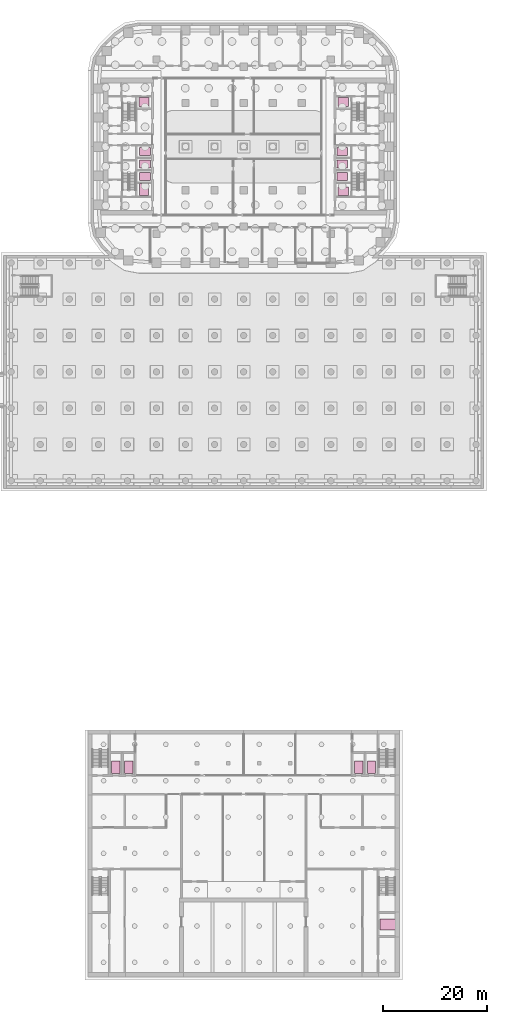
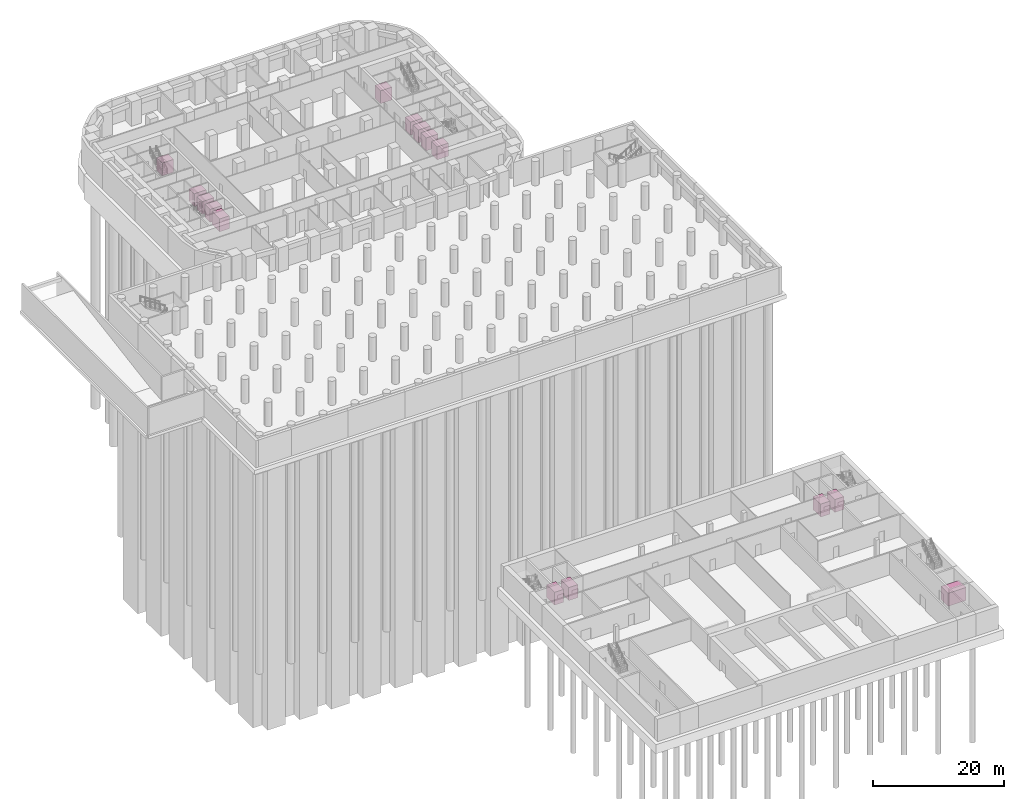
# One storey, part 23 of 23: 15 transport elements.
"""IFC4 building model written with IfcOpenShell, lengths in metres."""

from ifc_helpers import new_model, si_unit, direction, frame, origin, origin_2d, place, context, subcontext, project, spatial, rectangle, extrude, material, type_object, element, save


model = new_model("IFC4")

# Units and contexts
model_context = context("Model", 3, precision=1e-05, world=origin(), true_north=direction((0.0, 1.0)))
body_context = subcontext(model_context, "Body", "Model", "MODEL_VIEW")
ifc_project = project(units=[si_unit("LENGTHUNIT", "METRE"), si_unit("AREAUNIT", "SQUARE_METRE"), si_unit("VOLUMEUNIT", "CUBIC_METRE"), si_unit("PLANEANGLEUNIT", "RADIAN"), si_unit("MASSUNIT", "GRAM", prefix="KILO")], contexts=[model_context])

# Site, building, storey
site_placement = place(None, origin())
site = spatial("IfcSite", under=ifc_project, at=site_placement, CompositionType="ELEMENT")
building_placement = place(site_placement, origin())
building = spatial("IfcBuilding", under=site, at=building_placement, Name="Kiln Ring Residences", CompositionType="ELEMENT")
storey_placement = place(building_placement, frame((0.0, 0.0, -4.5)))
storey = spatial("IfcBuildingStorey", under=building, at=storey_placement, Name="B1", CompositionType="ELEMENT", Elevation=-4.5)

# Transport elements
ifc_material_1 = material(Name="Brushed stainless steel", Category="steel")
transport_element_type_1 = type_object("IfcTransportElementType", Name="CORE-LIFT-FF", PredefinedType="ELEVATOR", material=ifc_material_1)
for number, where, z_axis, x_axis, name in (
    (1, (-19.199951171875, 8.60009765625, 0.0), (0.0, 0.0, 1.0), (1.0, 0.0, 0.0), "Lift W-FF"),
    (2, (19.199951171875, 8.60009765625, 0.0), (0.0, 0.0, 1.0), (1.0, 0.0, 0.0), "Lift E-FF"),
):
    element("IfcTransportElement", number, at=place(storey_placement, frame(where, z_axis=z_axis, x_axis=x_axis)), inside=storey, type_object=transport_element_type_1, Name=name, PredefinedType="ELEVATOR", context=body_context, shape_type="SweptSolid", body=[
        extrude(rectangle(XDim=2.0, YDim=1.699951171875, at=origin_2d()), origin(), (0.0, 0.0, 1.0), 2.39990234375),
    ])
ifc_material_2 = material(Name="Brushed stainless steel", Category="steel")
transport_element_type_2 = type_object("IfcTransportElementType", Name="CORE-LIFT-LOW", PredefinedType="ELEVATOR", material=ifc_material_2)
for number, where, z_axis, x_axis, name in (
    (3, (-19.0, -5.75, 0.0), (0.0, 0.0, 1.0), (1.0, 0.0, 0.0), "Lift W-L1"),
    (4, (-19.0, -3.35009765625, 0.0), (0.0, 0.0, 1.0), (1.0, 0.0, 0.0), "Lift W-L2"),
    (5, (-19.0, -0.949951171875, 0.0), (0.0, 0.0, 1.0), (1.0, 0.0, 0.0), "Lift W-L3"),
    (6, (19.0, -5.75, 0.0), (0.0, 0.0, 1.0), (1.0, 0.0, 0.0), "Lift E-L1"),
    (7, (19.0, -3.35009765625, 0.0), (0.0, 0.0, 1.0), (1.0, 0.0, 0.0), "Lift E-L2"),
    (8, (19.0, -0.949951171875, 0.0), (0.0, 0.0, 1.0), (1.0, 0.0, 0.0), "Lift E-L3"),
):
    element("IfcTransportElement", number, at=place(storey_placement, frame(where, z_axis=z_axis, x_axis=x_axis)), inside=storey, type_object=transport_element_type_2, Name=name, PredefinedType="ELEVATOR", context=body_context, shape_type="SweptSolid", body=[
        extrude(rectangle(XDim=2.10009765625, YDim=1.60009765625, at=origin_2d()), origin(), (0.0, 0.0, 1.0), 2.39990234375),
    ])
ifc_material_3 = material(Name="Brushed stainless steel", Category="steel")
transport_element_type_3 = type_object("IfcTransportElementType", Name="CORE-LIFT-SV", PredefinedType="ELEVATOR", material=ifc_material_3)
transport_element_1_placement = place(storey_placement, frame((19.199951171875, -8.60009765625, 0.0), z_axis=(0.0, 0.0, 1.0), x_axis=(1.0, 0.0, 0.0)))
element("IfcTransportElement", 9, at=transport_element_1_placement, inside=storey, type_object=transport_element_type_3, Name="Lift E-SV", PredefinedType="ELEVATOR", context=body_context, shape_type="SweptSolid", body=[
    extrude(rectangle(XDim=2.0, YDim=1.699951171875, at=origin_2d()), origin(), (0.0, 0.0, 1.0), 2.39990234375),
])
ifc_material_4 = material(Name="Brushed stainless steel", Category="steel")
transport_element_type_4 = type_object("IfcTransportElementType", Name="CORE-LIFT-SVF", PredefinedType="ELEVATOR", material=ifc_material_4)
transport_element_2_placement = place(storey_placement, frame((-19.199951171875, -8.300048828125, 0.0), z_axis=(0.0, 0.0, 1.0), x_axis=(1.0, 0.0, 0.0)))
element("IfcTransportElement", 10, at=transport_element_2_placement, inside=storey, type_object=transport_element_type_4, Name="Lift W-SV", PredefinedType="ELEVATOR", context=body_context, shape_type="SweptSolid", body=[
    extrude(rectangle(XDim=1.699951171875, YDim=2.300048828125, at=origin_2d()), origin(), (0.0, 0.0, 1.0), 2.39990234375),
])
ifc_material_5 = material(Name="Brushed stainless steel", Category="steel")
transport_element_type_5 = type_object("IfcTransportElementType", Name="Hall lift GL1 4000 kg", PredefinedType="ELEVATOR", material=ifc_material_5)
transport_element_3_placement = place(storey_placement, frame((27.89990234375, -149.89990234375, 0.0), z_axis=(0.0, 0.0, 1.0), x_axis=(1.0, 0.0, 0.0)))
element("IfcTransportElement", 11, at=transport_element_3_placement, inside=storey, type_object=transport_element_type_5, Name="Hall lift GL1", PredefinedType="ELEVATOR", context=body_context, shape_type="SweptSolid", body=[
    extrude(rectangle(XDim=3.199951171875, YDim=2.199951171875, at=origin_2d()), origin(), (0.0, 0.0, 1.0), 2.39990234375),
])
ifc_material_6 = material(Name="Brushed stainless steel", Category="steel")
transport_element_type_6 = type_object("IfcTransportElementType", Name="Hall lift LF1 1600 kg", PredefinedType="ELEVATOR", material=ifc_material_6)
transport_element_4_placement = place(storey_placement, frame((-24.64990234375, -119.60009765625, 0.0), z_axis=(0.0, 0.0, 1.0), x_axis=(1.0, 0.0, 0.0)))
element("IfcTransportElement", 12, at=transport_element_4_placement, inside=storey, type_object=transport_element_type_6, Name="Hall lift LF1", PredefinedType="ELEVATOR", context=body_context, shape_type="SweptSolid", body=[
    extrude(rectangle(XDim=1.60009765625, YDim=2.39990234375, at=origin_2d()), origin(), (0.0, 0.0, 1.0), 2.39990234375),
])
ifc_material_7 = material(Name="Brushed stainless steel", Category="steel")
transport_element_type_7 = type_object("IfcTransportElementType", Name="Hall lift LF2 1600 kg", PredefinedType="ELEVATOR", material=ifc_material_7)
transport_element_5_placement = place(storey_placement, frame((-22.14990234375, -119.60009765625, 0.0), z_axis=(0.0, 0.0, 1.0), x_axis=(1.0, 0.0, 0.0)))
element("IfcTransportElement", 13, at=transport_element_5_placement, inside=storey, type_object=transport_element_type_7, Name="Hall lift LF2", PredefinedType="ELEVATOR", context=body_context, shape_type="SweptSolid", body=[
    extrude(rectangle(XDim=1.60009765625, YDim=2.39990234375, at=origin_2d()), origin(), (0.0, 0.0, 1.0), 2.39990234375),
])
ifc_material_8 = material(Name="Brushed stainless steel", Category="steel")
transport_element_type_8 = type_object("IfcTransportElementType", Name="Hall lift LF3 1600 kg", PredefinedType="ELEVATOR", material=ifc_material_8)
transport_element_6_placement = place(storey_placement, frame((22.14990234375, -119.60009765625, 0.0), z_axis=(0.0, 0.0, 1.0), x_axis=(1.0, 0.0, 0.0)))
element("IfcTransportElement", 14, at=transport_element_6_placement, inside=storey, type_object=transport_element_type_8, Name="Hall lift LF3", PredefinedType="ELEVATOR", context=body_context, shape_type="SweptSolid", body=[
    extrude(rectangle(XDim=1.60009765625, YDim=2.39990234375, at=origin_2d()), origin(), (0.0, 0.0, 1.0), 2.39990234375),
])
ifc_material_9 = material(Name="Brushed stainless steel", Category="steel")
transport_element_type_9 = type_object("IfcTransportElementType", Name="Hall lift LF4 1600 kg", PredefinedType="ELEVATOR", material=ifc_material_9)
transport_element_7_placement = place(storey_placement, frame((24.64990234375, -119.60009765625, 0.0), z_axis=(0.0, 0.0, 1.0), x_axis=(1.0, 0.0, 0.0)))
element("IfcTransportElement", 15, at=transport_element_7_placement, inside=storey, type_object=transport_element_type_9, Name="Hall lift LF4", PredefinedType="ELEVATOR", context=body_context, shape_type="SweptSolid", body=[
    extrude(rectangle(XDim=1.60009765625, YDim=2.39990234375, at=origin_2d()), origin(), (0.0, 0.0, 1.0), 2.39990234375),
])

save(model, "model.ifc")
